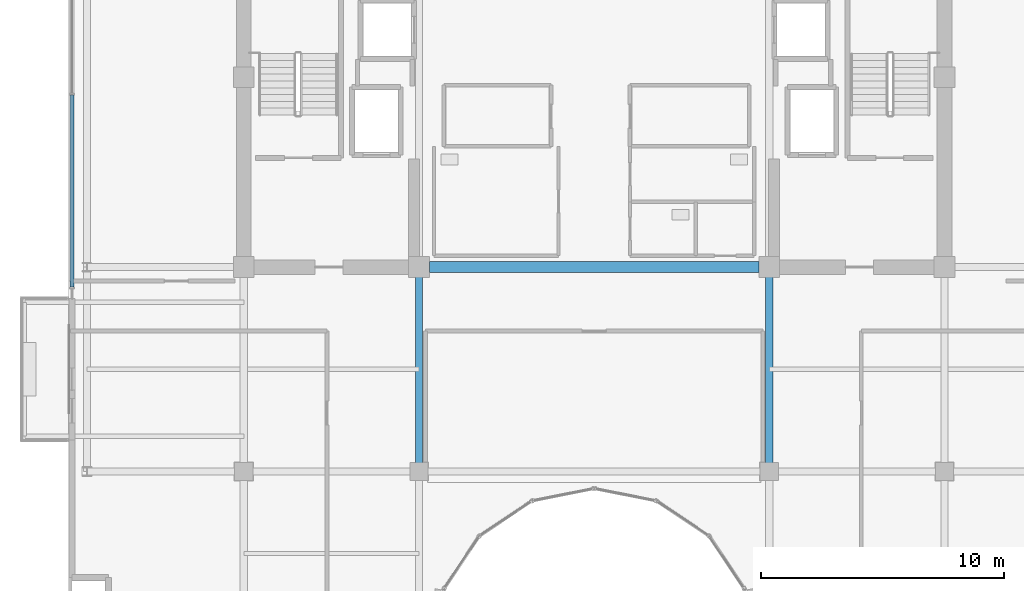
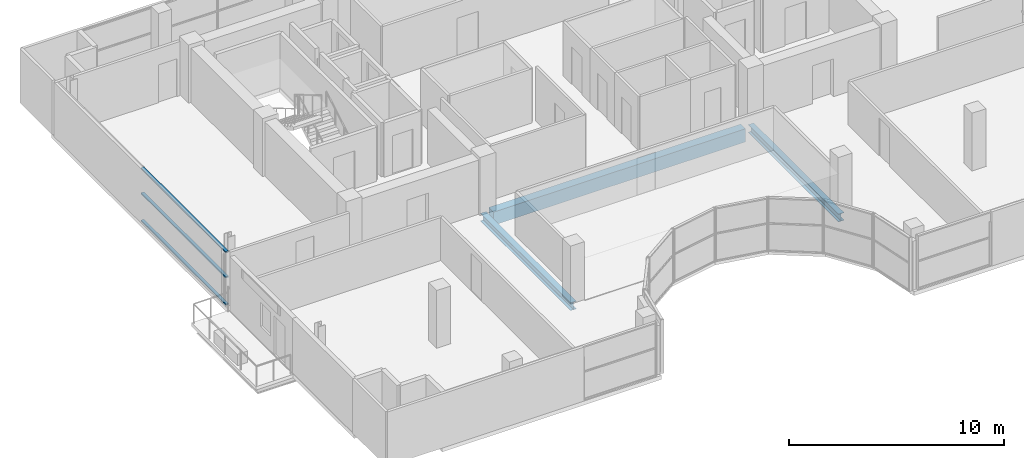
# One storey, part 8 of 28: 3 beams, 3 members, 1 element without a shape of its own.
"""IFC4 building model written with IfcOpenShell, lengths in metres."""

from ifc_helpers import new_model, si_unit, direction, frame, origin, origin_2d, place, context, subcontext, project, spatial, rectangle, hollow_rectangle, i_section, extrude, source, transform, mapped, material, layer, layer_set, material_profile, profile_set, type_object, element, aggregate, save


model = new_model("IFC4")

# Units and contexts
model_context = context("Model", 3, precision=1e-05, world=origin(), true_north=direction((0.0, 1.0)))
body_context = subcontext(model_context, "Body", "Model", "MODEL_VIEW")
ifc_project = project(units=[si_unit("LENGTHUNIT", "METRE"), si_unit("AREAUNIT", "SQUARE_METRE"), si_unit("VOLUMEUNIT", "CUBIC_METRE"), si_unit("PLANEANGLEUNIT", "RADIAN"), si_unit("MASSUNIT", "GRAM", prefix="KILO")], contexts=[model_context])

# Site, building, storey
site_placement = place(None, origin())
site = spatial("IfcSite", under=ifc_project, at=site_placement, CompositionType="ELEMENT")
building_placement = place(site_placement, origin())
building = spatial("IfcBuilding", under=site, at=building_placement, Name="Zarnakvel Exchange Tower", CompositionType="ELEMENT")
storey_placement = place(building_placement, frame((0.0, 0.0, 268.300048828125)))
storey = spatial("IfcBuildingStorey", under=building, at=storey_placement, Name="L76", CompositionType="ELEMENT", Elevation=268.300048828125)

# Beams
ifc_material_1 = material(Name="Concrete C50/60", Category="concrete")
ifc_material_profile_1 = material_profile(ifc_material_1, rectangle(XDim=0.449951171875, YDim=0.75, at=origin_2d()))
ifc_profile_set_1 = profile_set([ifc_material_profile_1], Name="Concrete C50/60")
beam_type_1 = type_object("IfcBeamType", Name="CB-03", PredefinedType="LINTEL", material=ifc_profile_set_1)
beam_placement = place(storey_placement, frame((-6.77490234375, -1.199951171875, -0.60009765625), z_axis=(1.0, 0.0, 0.0), x_axis=(0.0, 1.0, 0.0)))
element("IfcBeam", 1, at=beam_placement, inside=storey, type_object=beam_type_1, Name="L76 Rear Core South Coupling Beam (CB-03)", PredefinedType="LINTEL", context=body_context, shape_type="SweptSolid", body=[
    extrude(rectangle(XDim=0.449951171875, YDim=0.75, at=origin_2d()), origin(), (0.0, 0.0, 1.0), 13.5498046875),
])
ifc_material_2 = material(Name="Steel S355", Category="steel")
ifc_material_profile_2 = material_profile(ifc_material_2, i_section(OverallWidth=0.300048828125, OverallDepth=0.449951171875, WebThickness=0.013916015625, FlangeThickness=0.02587890625, FilletRadius=0.027099609375, at=origin_2d()))
ifc_profile_set_2 = profile_set([ifc_material_profile_2], Name="Steel S355")
beam_type_2 = type_object("IfcBeamType", Name="G-07", PredefinedType="BEAM", material=ifc_profile_set_2)
for number, where, z_axis, x_axis, name in (
    (2, (-7.199951171875, -9.60009765625, -0.449951171875), (0.0, 1.0, 0.0), (-1.0, 0.0, 0.0), "L76 Tower N-S Frame Beam"),
    (3, (7.199951171875, -9.60009765625, -0.449951171875), (0.0, 1.0, 0.0), (-1.0, 0.0, 0.0), "L76 Tower N-S Frame Beam"),
):
    element("IfcBeam", number, at=place(storey_placement, frame(where, z_axis=z_axis, x_axis=x_axis)), inside=storey, type_object=beam_type_2, Name=name, PredefinedType="BEAM", context=body_context, shape_type="SweptSolid", body=[
        extrude(i_section(OverallWidth=0.300048828125, OverallDepth=0.449951171875, WebThickness=0.013916015625, FlangeThickness=0.02587890625, FilletRadius=0.027099609375, at=origin_2d()), origin(), (0.0, 0.0, 1.0), 8.400146484375),
    ])

# Curtain wall, members
ifc_material_3 = material(Name="Architectural Bronze Anodised Aluminium", Category="aluminium")
ifc_layer = layer(ifc_material_3, 0.199951171875)
ifc_layer_set = layer_set([ifc_layer], Name="Architectural Bronze Anodised Aluminium")
curtain_wall_type = type_object("IfcCurtainWallType", Name="CW-04", PredefinedType="NOTDEFINED", material=ifc_layer_set)
curtain_wall_placement = place(storey_placement, origin())
curtain_wall = element("IfcCurtainWall", 4, at=curtain_wall_placement, inside=storey, type_object=curtain_wall_type, Name="L76 Curtain Wall CW-L76-WN (CW-04)", PredefinedType="NOTDEFINED")
ifc_material_profile_3 = material_profile(ifc_material_3, hollow_rectangle(XDim=0.159912109375, YDim=0.074951171875, WallThickness=0.00390625, at=origin_2d()))
ifc_profile_set_3 = profile_set([ifc_material_profile_3], Name="Architectural Bronze Anodised Aluminium")
member_type = type_object("IfcMemberType", Name="CWT-04", PredefinedType="USERDEFINED", material=ifc_profile_set_3)
shared_shape = source(origin(), body_context, "Body", "SweptSolid", [
    extrude(hollow_rectangle(XDim=0.159912109375, YDim=0.074951171875, WallThickness=0.00390625, at=origin_2d()), origin(), (0.0, 0.0, 1.0), 7.887451171875),
])
member_1_placement = place(storey_placement, frame((-21.4599609375, -2.02490234375, 0.037353515625), z_axis=(0.0, 1.0, 0.0), x_axis=(-1.0, 0.0, 0.0)))
member_1 = element("IfcMember", 5, at=member_1_placement, type_object=member_type, Name="CW-04 transom 1.1", ObjectType="TRANSOM", PredefinedType="USERDEFINED", context=body_context, shape_type="MappedRepresentation", body=[
    mapped(shared_shape, transform((0.0, 0.0, 0.0), x_axis=(1.0, 0.0, 0.0), y_axis=(0.0, 1.0, 0.0), z_axis=(0.0, 0.0, 1.0), scale=1.0)),
])
member_2_placement = place(storey_placement, frame((-21.4599609375, -2.02490234375, 1.591064453125), z_axis=(0.0, 1.0, 0.0), x_axis=(-1.0, 0.0, 0.0)))
member_2 = element("IfcMember", 6, at=member_2_placement, type_object=member_type, Name="CW-04 transom 1.2", ObjectType="TRANSOM", PredefinedType="USERDEFINED", context=body_context, shape_type="MappedRepresentation", body=[
    mapped(shared_shape, transform((0.0, 0.0, 0.0), x_axis=(1.0, 0.0, 0.0), y_axis=(0.0, 1.0, 0.0), z_axis=(0.0, 0.0, 1.0), scale=1.0)),
])
member_3_placement = place(storey_placement, frame((-21.4599609375, -2.02490234375, 3.0224609375), z_axis=(0.0, 1.0, 0.0), x_axis=(-1.0, 0.0, 0.0)))
member_3 = element("IfcMember", 7, at=member_3_placement, type_object=member_type, Name="CW-04 transom 1.3", ObjectType="TRANSOM", PredefinedType="USERDEFINED", context=body_context, shape_type="MappedRepresentation", body=[
    mapped(shared_shape, transform((0.0, 0.0, 0.0), x_axis=(1.0, 0.0, 0.0), y_axis=(0.0, 1.0, 0.0), z_axis=(0.0, 0.0, 1.0), scale=1.0)),
])
aggregate(curtain_wall, [member_1, member_2, member_3])

save(model, "model.ifc")
